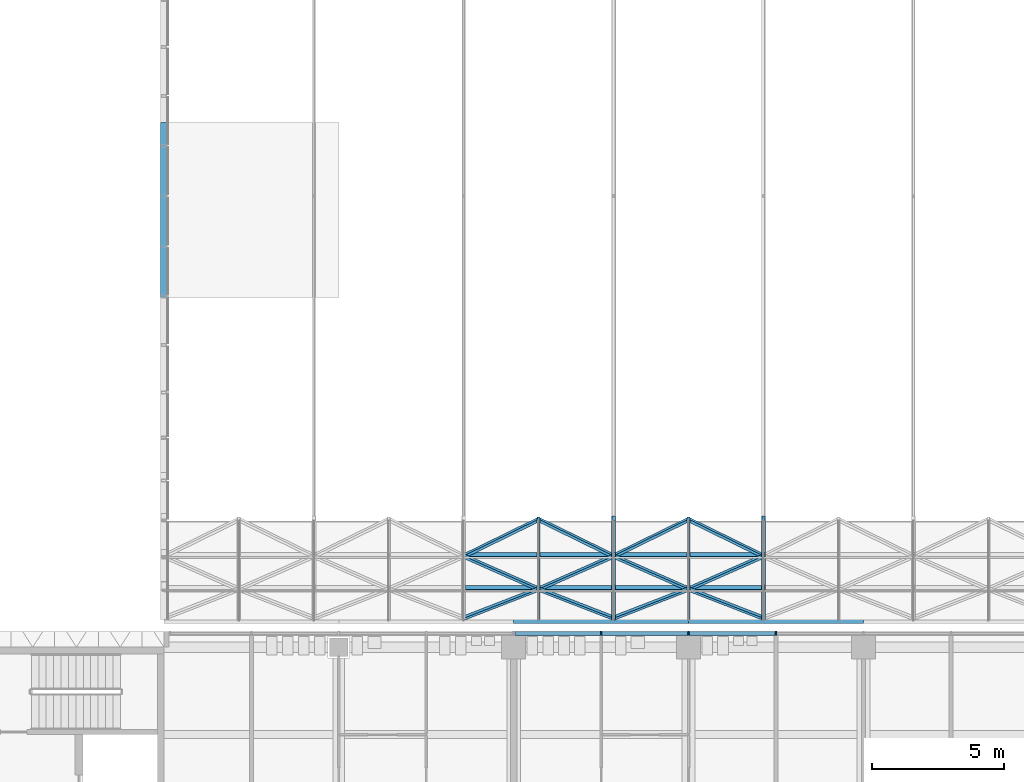
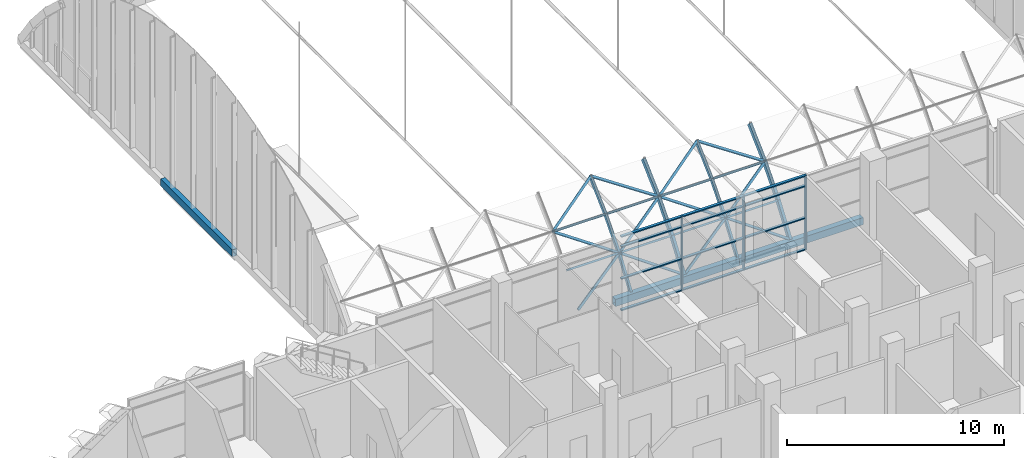
# One storey, part 16 of 109: 47 members, 3 beams, 1 element without a shape of its own.
"""IFC4 building model written with IfcOpenShell, lengths in metres."""

from ifc_helpers import new_model, si_unit, direction, frame, origin, origin_2d, place, context, subcontext, project, spatial, rectangle, hollow_rectangle, extrude, material, material_profile, profile_set, type_object, element, aggregate, save


model = new_model("IFC4")

# Units and contexts
model_context = context("Model", 3, precision=1e-05, world=origin(), true_north=direction((0.0, 1.0)))
body_context = subcontext(model_context, "Body", "Model", "MODEL_VIEW")
ifc_project = project(units=[si_unit("LENGTHUNIT", "METRE"), si_unit("AREAUNIT", "SQUARE_METRE"), si_unit("VOLUMEUNIT", "CUBIC_METRE"), si_unit("PLANEANGLEUNIT", "RADIAN"), si_unit("MASSUNIT", "GRAM", prefix="KILO")], contexts=[model_context])

# Site, building, storey
site_placement = place(None, origin())
site = spatial("IfcSite", under=ifc_project, at=site_placement, CompositionType="ELEMENT")
building_placement = place(site_placement, origin())
building = spatial("IfcBuilding", under=site, at=building_placement, Name="Lantern Court Research Institute", CompositionType="ELEMENT")
storey_placement = place(building_placement, frame((0.0, 0.0, 14.39990234375)))
storey = spatial("IfcBuildingStorey", under=building, at=storey_placement, Name="L03", CompositionType="ELEMENT", Elevation=14.39990234375)

# Beam
ifc_material_1 = material(Name="Structural steel S355", Category="steel")
ifc_material_profile_1 = material_profile(ifc_material_1, hollow_rectangle(XDim=0.25, YDim=0.39990234375, WallThickness=0.012451171875, at=origin_2d()), Name="Gable sill beam RHS 400 x 250 x 12.5")
ifc_profile_set_1 = profile_set([ifc_material_profile_1], Name="Structural steel S355")
beam_type_1 = type_object("IfcBeamType", Name="Gable sill beam RHS 400 x 250 x 12.5", PredefinedType="BEAM", material=ifc_profile_set_1)
beam_1_placement = place(storey_placement, frame((39.60009765625, 36.300048828125, 0.2001953125), z_axis=(0.0, 1.0, 0.0), x_axis=(-1.0, 0.0, 0.0)))
element("IfcBeam", 1, at=beam_1_placement, inside=storey, type_object=beam_type_1, Name="Sill beam W", PredefinedType="BEAM", context=body_context, shape_type="SweptSolid", body=[
    extrude(hollow_rectangle(XDim=0.25, YDim=0.39990234375, WallThickness=0.012451171875, at=origin_2d()), origin(), (0.0, 0.0, 1.0), 6.599853515625),
])

# Members
ifc_material_2 = material(Name="Structural steel S355", Category="steel")
ifc_material_profile_2 = material_profile(ifc_material_2, hollow_rectangle(XDim=0.1201171875, YDim=0.1201171875, WallThickness=0.008056640625, at=origin_2d()), Name="Gridshell haunch diagonal RHS 120 x 120 x 8")
ifc_profile_set_2 = profile_set([ifc_material_profile_2], Name="Structural steel S355")
member_type_1 = type_object("IfcMemberType", Name="Gridshell haunch diagonal RHS 120 x 120 x 8", PredefinedType="BRACE", material=ifc_profile_set_2)
for number, where, z_axis, x_axis, name in (
    (2, (50.914306640625, 24.198974609375, 0.365478515625), (0.829757421007, 0.321633055217, 0.45613024464), (-0.558124199292, 0.478137532634, 0.678145912065), "Gridshell diagonal"),
    (3, (53.742919921875, 25.29150390625, 1.91552734375), (-0.829775196139, 0.365828733116, 0.421476525917), (-0.558097772678, -0.543914119911, -0.62664527948), "Gridshell diagonal"),
    (4, (50.914306640625, 26.534423828125, 3.347900390625), (0.829761681147, 0.406358344452, 0.382581296451), (-0.558117866133, 0.60414109168, 0.568786417601), "Gridshell diagonal"),
    (5, (56.571533203125, 24.198974609375, 0.365478515625), (-0.829757421007, 0.321633055217, 0.45613024464), (-0.558124199292, -0.478137532634, -0.678145912065), "Gridshell diagonal"),
    (6, (53.742919921875, 25.29150390625, 1.91552734375), (0.829775196139, 0.365828733116, 0.421476525917), (-0.558097772678, 0.543914119911, 0.62664527948), "Gridshell diagonal"),
    (7, (56.571533203125, 26.534423828125, 3.347900390625), (-0.829761681147, 0.406358344452, 0.382581296451), (-0.558117866133, -0.60414109168, -0.568786417601), "Gridshell diagonal"),
):
    element("IfcMember", number, at=place(storey_placement, frame(where, z_axis=z_axis, x_axis=x_axis)), inside=storey, type_object=member_type_1, Name=name, PredefinedType="BRACE", context=body_context, shape_type="SweptSolid", body=[
        extrude(hollow_rectangle(XDim=0.1201171875, YDim=0.1201171875, WallThickness=0.008056640625, at=origin_2d()), origin(), (0.0, 0.0, 1.0), 3.408935546875),
    ])
for number, where, z_axis, x_axis, name in (
    (8, (56.571533203125, 24.198974609375, 0.365478515625), (0.829735110058, 0.321652169121, 0.456157351399), (-0.558157366986, 0.478113831457, 0.678135324142), "Gridshell diagonal"),
    (9, (59.39990234375, 25.29150390625, 1.91552734375), (-0.829752886825, 0.365850474398, 0.42150157436), (-0.55813094053, -0.54388935428, -0.62663723439), "Gridshell diagonal"),
    (10, (56.571533203125, 26.534423828125, 3.347900390625), (0.82973937059, 0.406382493632, 0.382604032602), (-0.558151034099, 0.604115905866, 0.568780621518), "Gridshell diagonal"),
):
    element("IfcMember", number, at=place(storey_placement, frame(where, z_axis=z_axis, x_axis=x_axis)), inside=storey, type_object=member_type_1, Name=name, PredefinedType="BRACE", context=body_context, shape_type="SweptSolid", body=[
        extrude(hollow_rectangle(XDim=0.1201171875, YDim=0.1201171875, WallThickness=0.008056640625, at=origin_2d()), origin(), (0.0, 0.0, 1.0), 3.40869140625),
    ])
for number, where, z_axis, x_axis, name in (
    (11, (62.228515625, 24.198974609375, 0.365478515625), (-0.829757421007, 0.321633055217, 0.45613024464), (-0.558124199292, -0.478137532634, -0.678145912065), "Gridshell diagonal"),
    (12, (59.39990234375, 25.29150390625, 1.91552734375), (0.829775196139, 0.365828733116, 0.421476525917), (-0.558097772678, 0.543914119911, 0.62664527948), "Gridshell diagonal"),
    (13, (62.228515625, 26.534423828125, 3.347900390625), (-0.829761681147, 0.406358344452, 0.382581296451), (-0.558117866133, -0.60414109168, -0.568786417601), "Gridshell diagonal"),
):
    element("IfcMember", number, at=place(storey_placement, frame(where, z_axis=z_axis, x_axis=x_axis)), inside=storey, type_object=member_type_1, Name=name, PredefinedType="BRACE", context=body_context, shape_type="SweptSolid", body=[
        extrude(hollow_rectangle(XDim=0.1201171875, YDim=0.1201171875, WallThickness=0.008056640625, at=origin_2d()), origin(), (0.0, 0.0, 1.0), 3.408935546875),
    ])
ifc_material_3 = material(Name="Structural steel S355", Category="steel")
ifc_material_profile_3 = material_profile(ifc_material_3, hollow_rectangle(XDim=0.10009765625, YDim=0.199951171875, WallThickness=0.008056640625, at=origin_2d()), Name="Gridshell purlin RHS 200 x 100 x 8")
ifc_profile_set_3 = profile_set([ifc_material_profile_3], Name="Structural steel S355")
member_type_2 = type_object("IfcMemberType", Name="Gridshell purlin RHS 200 x 100 x 8", PredefinedType="PURLIN", material=ifc_profile_set_3)
member_1_placement = place(storey_placement, frame((50.9892578125, 25.324951171875, 1.893310546875), z_axis=(1.0, 0.0, 0.0), x_axis=(0.0, 0.616657332959, 0.787231689979)))
element("IfcMember", 14, at=member_1_placement, inside=storey, type_object=member_type_2, Name="Gridshell purlin", PredefinedType="PURLIN", context=body_context, shape_type="SweptSolid", body=[
    extrude(hollow_rectangle(XDim=0.10009765625, YDim=0.199951171875, WallThickness=0.008056640625, at=origin_2d()), origin(), (0.0, 0.0, 1.0), 2.693603515625),
])
member_2_placement = place(storey_placement, frame((53.802978515625, 25.324951171875, 1.893310546875), z_axis=(1.0, 0.0, 0.0), x_axis=(0.0, 0.616657332959, 0.787231689979)))
element("IfcMember", 15, at=member_2_placement, inside=storey, type_object=member_type_2, Name="Gridshell purlin", PredefinedType="PURLIN", context=body_context, shape_type="SweptSolid", body=[
    extrude(hollow_rectangle(XDim=0.10009765625, YDim=0.199951171875, WallThickness=0.008056640625, at=origin_2d()), origin(), (0.0, 0.0, 1.0), 2.693359375),
])
for number, where, z_axis, x_axis, name in (
    (16, (56.646484375, 25.324951171875, 1.893310546875), (1.0, 0.0, 0.0), (0.0, 0.616657332959, 0.787231689979), "Gridshell purlin"),
    (17, (59.4599609375, 25.324951171875, 1.893310546875), (1.0, 0.0, 0.0), (0.0, 0.616657332959, 0.787231689979), "Gridshell purlin"),
    (18, (50.9892578125, 26.5654296875, 3.322265625), (1.0, 0.0, 0.0), (0.0, 0.692674230917, 0.721250587399), "Gridshell purlin"),
):
    element("IfcMember", number, at=place(storey_placement, frame(where, z_axis=z_axis, x_axis=x_axis)), inside=storey, type_object=member_type_2, Name=name, PredefinedType="PURLIN", context=body_context, shape_type="SweptSolid", body=[
        extrude(hollow_rectangle(XDim=0.10009765625, YDim=0.199951171875, WallThickness=0.008056640625, at=origin_2d()), origin(), (0.0, 0.0, 1.0), 2.693603515625),
    ])
member_3_placement = place(storey_placement, frame((53.802978515625, 26.5654296875, 3.322265625), z_axis=(1.0, 0.0, 0.0), x_axis=(0.0, 0.692674230917, 0.721250587399)))
element("IfcMember", 19, at=member_3_placement, inside=storey, type_object=member_type_2, Name="Gridshell purlin", PredefinedType="PURLIN", context=body_context, shape_type="SweptSolid", body=[
    extrude(hollow_rectangle(XDim=0.10009765625, YDim=0.199951171875, WallThickness=0.008056640625, at=origin_2d()), origin(), (0.0, 0.0, 1.0), 2.693359375),
])
for number, where, z_axis, x_axis, name in (
    (20, (56.646484375, 26.5654296875, 3.322265625), (1.0, 0.0, 0.0), (0.0, 0.692674230917, 0.721250587399), "Gridshell purlin"),
    (21, (59.4599609375, 26.5654296875, 3.322265625), (1.0, 0.0, 0.0), (0.0, 0.692674230917, 0.721250587399), "Gridshell purlin"),
):
    element("IfcMember", number, at=place(storey_placement, frame(where, z_axis=z_axis, x_axis=x_axis)), inside=storey, type_object=member_type_2, Name=name, PredefinedType="PURLIN", context=body_context, shape_type="SweptSolid", body=[
        extrude(hollow_rectangle(XDim=0.10009765625, YDim=0.199951171875, WallThickness=0.008056640625, at=origin_2d()), origin(), (0.0, 0.0, 1.0), 2.693603515625),
    ])

# Beams
ifc_material_4 = material(Name="Structural steel S355", Category="steel")
ifc_material_profile_4 = material_profile(ifc_material_4, hollow_rectangle(XDim=0.300048828125, YDim=0.39990234375, WallThickness=0.01611328125, at=origin_2d()), Name="Gridshell ring beam RHS 400 x 300 x 16")
ifc_profile_set_4 = profile_set([ifc_material_profile_4], Name="Structural steel S355")
beam_type_2 = type_object("IfcBeamType", Name="Gridshell ring beam RHS 400 x 300 x 16", PredefinedType="BEAM", material=ifc_profile_set_4)
beam_2_placement = place(storey_placement, frame((52.800048828125, 24.14990234375, 0.2001953125), z_axis=(1.0, 0.0, 0.0), x_axis=(0.0, 1.0, 0.0)))
element("IfcBeam", 22, at=beam_2_placement, inside=storey, type_object=beam_type_2, Name="Ring beam S", PredefinedType="BEAM", context=body_context, shape_type="SweptSolid", body=[
    extrude(hollow_rectangle(XDim=0.300048828125, YDim=0.39990234375, WallThickness=0.01611328125, at=origin_2d()), origin(), (0.0, 0.0, 1.0), 6.599853515625),
])
beam_3_placement = place(storey_placement, frame((59.39990234375, 24.14990234375, 0.2001953125), z_axis=(1.0, 0.0, 0.0), x_axis=(0.0, 1.0, 0.0)))
element("IfcBeam", 23, at=beam_3_placement, inside=storey, type_object=beam_type_2, Name="Ring beam S", PredefinedType="BEAM", context=body_context, shape_type="SweptSolid", body=[
    extrude(hollow_rectangle(XDim=0.300048828125, YDim=0.39990234375, WallThickness=0.01611328125, at=origin_2d()), origin(), (0.0, 0.0, 1.0), 6.60009765625),
])

# Members
ifc_material_5 = material(Name="Structural steel S355", Category="steel")
ifc_material_profile_5 = material_profile(ifc_material_5, hollow_rectangle(XDim=0.1201171875, YDim=0.199951171875, WallThickness=0.008056640625, at=origin_2d()), Name="Gridshell secondary rib RHS 200 x 120 x 8")
ifc_profile_set_5 = profile_set([ifc_material_profile_5], Name="Structural steel S355")
member_type_3 = type_object("IfcMemberType", Name="Gridshell secondary rib RHS 200 x 120 x 8", PredefinedType="RAFTER", material=ifc_profile_set_5)
member_4_placement = place(storey_placement, frame((53.742919921875, 24.231689453125, 0.342529296875), z_axis=(0.0, 0.576335495229, 0.817213189406), x_axis=(-1.0, 0.0, 0.0)))
element("IfcMember", 24, at=member_4_placement, inside=storey, type_object=member_type_3, Name="Gridshell secondary rib", PredefinedType="RAFTER", context=body_context, shape_type="SweptSolid", body=[
    extrude(hollow_rectangle(XDim=0.1201171875, YDim=0.199951171875, WallThickness=0.008056640625, at=origin_2d()), origin(), (0.0, 0.0, 1.0), 1.90234375),
])
member_5_placement = place(storey_placement, frame((53.742919921875, 25.32177734375, 1.889404296875), z_axis=(0.0, 0.655492193344, 0.755201949458), x_axis=(-1.0, 0.0, 0.0)))
element("IfcMember", 25, at=member_5_placement, inside=storey, type_object=member_type_3, Name="Gridshell secondary rib", PredefinedType="RAFTER", context=body_context, shape_type="SweptSolid", body=[
    extrude(hollow_rectangle(XDim=0.1201171875, YDim=0.199951171875, WallThickness=0.008056640625, at=origin_2d()), origin(), (0.0, 0.0, 1.0), 1.902587890625),
])
for number, where, z_axis, x_axis, name in (
    (26, (53.742919921875, 26.561767578125, 3.31884765625), (0.0, 0.728151013069, 0.68541673613), (-1.0, 0.0, 0.0), "Gridshell secondary rib"),
    (27, (59.39990234375, 24.231689453125, 0.342529296875), (0.0, 0.576335495229, 0.817213189406), (-1.0, 0.0, 0.0), "Gridshell secondary rib"),
):
    element("IfcMember", number, at=place(storey_placement, frame(where, z_axis=z_axis, x_axis=x_axis)), inside=storey, type_object=member_type_3, Name=name, PredefinedType="RAFTER", context=body_context, shape_type="SweptSolid", body=[
        extrude(hollow_rectangle(XDim=0.1201171875, YDim=0.199951171875, WallThickness=0.008056640625, at=origin_2d()), origin(), (0.0, 0.0, 1.0), 1.90234375),
    ])
member_6_placement = place(storey_placement, frame((59.39990234375, 25.32177734375, 1.889404296875), z_axis=(0.0, 0.655492193344, 0.755201949458), x_axis=(-1.0, 0.0, 0.0)))
element("IfcMember", 28, at=member_6_placement, inside=storey, type_object=member_type_3, Name="Gridshell secondary rib", PredefinedType="RAFTER", context=body_context, shape_type="SweptSolid", body=[
    extrude(hollow_rectangle(XDim=0.1201171875, YDim=0.199951171875, WallThickness=0.008056640625, at=origin_2d()), origin(), (0.0, 0.0, 1.0), 1.902587890625),
])
member_7_placement = place(storey_placement, frame((59.39990234375, 26.561767578125, 3.31884765625), z_axis=(0.0, 0.728151013069, 0.68541673613), x_axis=(-1.0, 0.0, 0.0)))
element("IfcMember", 29, at=member_7_placement, inside=storey, type_object=member_type_3, Name="Gridshell secondary rib", PredefinedType="RAFTER", context=body_context, shape_type="SweptSolid", body=[
    extrude(hollow_rectangle(XDim=0.1201171875, YDim=0.199951171875, WallThickness=0.008056640625, at=origin_2d()), origin(), (0.0, 0.0, 1.0), 1.90234375),
])
ifc_material_6 = material(Name="Structural steel S355", Category="steel")
ifc_material_profile_6 = material_profile(ifc_material_6, hollow_rectangle(XDim=0.14990234375, YDim=0.25, WallThickness=0.010009765625, at=origin_2d()), Name="Gridshell springing rib RHS 250 x 150 x 10")
ifc_profile_set_6 = profile_set([ifc_material_profile_6], Name="Structural steel S355")
member_type_4 = type_object("IfcMemberType", Name="Gridshell springing rib RHS 250 x 150 x 10", PredefinedType="RAFTER", material=ifc_profile_set_6)
member_8_placement = place(storey_placement, frame((56.571533203125, 24.252197265625, 0.328125), z_axis=(0.0, 0.576249781335, 0.817273631969), x_axis=(-1.0, 0.0, 0.0)))
element("IfcMember", 30, at=member_8_placement, inside=storey, type_object=member_type_4, Name="Gridshell rib", PredefinedType="RAFTER", context=body_context, shape_type="SweptSolid", body=[
    extrude(hollow_rectangle(XDim=0.14990234375, YDim=0.25, WallThickness=0.010009765625, at=origin_2d()), origin(), (0.0, 0.0, 1.0), 1.90234375),
])
member_9_placement = place(storey_placement, frame((56.571533203125, 25.340576171875, 1.873046875), z_axis=(0.0, 0.655492193344, 0.755201949458), x_axis=(-1.0, 0.0, 0.0)))
element("IfcMember", 31, at=member_9_placement, inside=storey, type_object=member_type_4, Name="Gridshell rib", PredefinedType="RAFTER", context=body_context, shape_type="SweptSolid", body=[
    extrude(hollow_rectangle(XDim=0.14990234375, YDim=0.25, WallThickness=0.010009765625, at=origin_2d()), origin(), (0.0, 0.0, 1.0), 1.902587890625),
])
for number, where, z_axis, x_axis, name in (
    (32, (56.571533203125, 26.5791015625, 3.300537109375), (0.0, 0.728026662528, 0.685548815657), (-1.0, 0.0, 0.0), "Gridshell rib"),
    (33, (62.228515625, 24.252197265625, 0.328125), (0.0, 0.576249781335, 0.817273631969), (-1.0, 0.0, 0.0), "Gridshell rib"),
):
    element("IfcMember", number, at=place(storey_placement, frame(where, z_axis=z_axis, x_axis=x_axis)), inside=storey, type_object=member_type_4, Name=name, PredefinedType="RAFTER", context=body_context, shape_type="SweptSolid", body=[
        extrude(hollow_rectangle(XDim=0.14990234375, YDim=0.25, WallThickness=0.010009765625, at=origin_2d()), origin(), (0.0, 0.0, 1.0), 1.90234375),
    ])
member_10_placement = place(storey_placement, frame((62.228515625, 25.340576171875, 1.873046875), z_axis=(0.0, 0.655492193344, 0.755201949458), x_axis=(-1.0, 0.0, 0.0)))
element("IfcMember", 34, at=member_10_placement, inside=storey, type_object=member_type_4, Name="Gridshell rib", PredefinedType="RAFTER", context=body_context, shape_type="SweptSolid", body=[
    extrude(hollow_rectangle(XDim=0.14990234375, YDim=0.25, WallThickness=0.010009765625, at=origin_2d()), origin(), (0.0, 0.0, 1.0), 1.902587890625),
])
member_11_placement = place(storey_placement, frame((62.228515625, 26.5791015625, 3.300537109375), z_axis=(0.0, 0.728026662528, 0.685548815657), x_axis=(-1.0, 0.0, 0.0)))
element("IfcMember", 35, at=member_11_placement, inside=storey, type_object=member_type_4, Name="Gridshell rib", PredefinedType="RAFTER", context=body_context, shape_type="SweptSolid", body=[
    extrude(hollow_rectangle(XDim=0.14990234375, YDim=0.25, WallThickness=0.010009765625, at=origin_2d()), origin(), (0.0, 0.0, 1.0), 1.90234375),
])

# Curtain wall, members
ifc_material_7 = material(Name="Aluminium alloy 6063-T6", Category="aluminium")
curtain_wall_type = type_object("IfcCurtainWallType", Name="Curtain wall 19600 x 4200 x 150 aluminium frame", PredefinedType="NOTDEFINED", material=ifc_material_7)
curtain_wall_placement = place(storey_placement, origin())
curtain_wall = element("IfcCurtainWall", 36, at=curtain_wall_placement, inside=storey, type_object=curtain_wall_type, Name="Curtain wall CW058", PredefinedType="NOTDEFINED")
ifc_material_8 = material(Name="Aluminium alloy 6063-T6", Category="aluminium")
ifc_material_profile_7 = material_profile(ifc_material_8, rectangle(XDim=0.14990234375, YDim=0.06005859375, at=origin_2d()), Name="Mullion 150 x 60")
ifc_profile_set_7 = profile_set([ifc_material_profile_7], Name="Aluminium alloy 6063-T6")
member_type_5 = type_object("IfcMemberType", Name="Mullion 150 x 60 aluminium", PredefinedType="MULLION", material=ifc_profile_set_7)
member_12_placement = place(storey_placement, frame((56.10009765625, 23.625, 0.0), z_axis=(0.0, 0.0, 1.0), x_axis=(0.0, 1.0, 0.0)))
member_12 = element("IfcMember", 37, at=member_12_placement, type_object=member_type_5, Name="CW058 mullion 2", PredefinedType="MULLION", context=body_context, shape_type="SweptSolid", body=[
    extrude(rectangle(XDim=0.14990234375, YDim=0.06005859375, at=origin_2d()), origin(), (0.0, 0.0, 1.0), 4.2001953125),
])
member_13_placement = place(storey_placement, frame((59.39990234375, 23.625, 0.0), z_axis=(0.0, 0.0, 1.0), x_axis=(0.0, 1.0, 0.0)))
member_13 = element("IfcMember", 38, at=member_13_placement, type_object=member_type_5, Name="CW058 mullion 3", PredefinedType="MULLION", context=body_context, shape_type="SweptSolid", body=[
    extrude(rectangle(XDim=0.14990234375, YDim=0.06005859375, at=origin_2d()), origin(), (0.0, 0.0, 1.0), 4.2001953125),
])
member_14_placement = place(storey_placement, frame((62.699951171875, 23.625, 0.0), z_axis=(0.0, 0.0, 1.0), x_axis=(0.0, 1.0, 0.0)))
member_14 = element("IfcMember", 39, at=member_14_placement, type_object=member_type_5, Name="CW058 mullion 4", PredefinedType="MULLION", context=body_context, shape_type="SweptSolid", body=[
    extrude(rectangle(XDim=0.14990234375, YDim=0.06005859375, at=origin_2d()), origin(), (0.0, 0.0, 1.0), 4.2001953125),
])
ifc_material_9 = material(Name="Aluminium alloy 6063-T6", Category="aluminium")
ifc_material_profile_8 = material_profile(ifc_material_9, rectangle(XDim=0.14990234375, YDim=0.06005859375, at=origin_2d()), Name="Transom 150 x 60")
ifc_profile_set_8 = profile_set([ifc_material_profile_8], Name="Aluminium alloy 6063-T6")
member_type_6 = type_object("IfcMemberType", Name="Transom 150 x 60 aluminium", PredefinedType="USERDEFINED", material=ifc_profile_set_8)
member_15_placement = place(storey_placement, frame((52.860107421875, 23.625, 0.030029296875), z_axis=(1.0, 0.0, 0.0), x_axis=(0.0, 1.0, 0.0)))
member_15 = element("IfcMember", 40, at=member_15_placement, type_object=member_type_6, Name="CW058 transom 1.1", ObjectType="TRANSOM", PredefinedType="USERDEFINED", context=body_context, shape_type="SweptSolid", body=[
    extrude(rectangle(XDim=0.14990234375, YDim=0.06005859375, at=origin_2d()), origin(), (0.0, 0.0, 1.0), 3.2099609375),
])
member_16_placement = place(storey_placement, frame((52.860107421875, 23.625, 1.800048828125), z_axis=(1.0, 0.0, 0.0), x_axis=(0.0, 1.0, 0.0)))
member_16 = element("IfcMember", 41, at=member_16_placement, type_object=member_type_6, Name="CW058 transom 1.2", ObjectType="TRANSOM", PredefinedType="USERDEFINED", context=body_context, shape_type="SweptSolid", body=[
    extrude(rectangle(XDim=0.14990234375, YDim=0.06005859375, at=origin_2d()), origin(), (0.0, 0.0, 1.0), 3.2099609375),
])
member_17_placement = place(storey_placement, frame((52.860107421875, 23.625, 3.60009765625), z_axis=(1.0, 0.0, 0.0), x_axis=(0.0, 1.0, 0.0)))
member_17 = element("IfcMember", 42, at=member_17_placement, type_object=member_type_6, Name="CW058 transom 1.3", ObjectType="TRANSOM", PredefinedType="USERDEFINED", context=body_context, shape_type="SweptSolid", body=[
    extrude(rectangle(XDim=0.14990234375, YDim=0.06005859375, at=origin_2d()), origin(), (0.0, 0.0, 1.0), 3.2099609375),
])
member_18_placement = place(storey_placement, frame((52.860107421875, 23.625, 4.170166015625), z_axis=(1.0, 0.0, 0.0), x_axis=(0.0, 1.0, 0.0)))
member_18 = element("IfcMember", 43, at=member_18_placement, type_object=member_type_6, Name="CW058 transom 1.4", ObjectType="TRANSOM", PredefinedType="USERDEFINED", context=body_context, shape_type="SweptSolid", body=[
    extrude(rectangle(XDim=0.14990234375, YDim=0.06005859375, at=origin_2d()), origin(), (0.0, 0.0, 1.0), 3.2099609375),
])
member_19_placement = place(storey_placement, frame((56.1298828125, 23.625, 0.030029296875), z_axis=(1.0, 0.0, 0.0), x_axis=(0.0, 1.0, 0.0)))
member_19 = element("IfcMember", 44, at=member_19_placement, type_object=member_type_6, Name="CW058 transom 2.1", ObjectType="TRANSOM", PredefinedType="USERDEFINED", context=body_context, shape_type="SweptSolid", body=[
    extrude(rectangle(XDim=0.14990234375, YDim=0.06005859375, at=origin_2d()), origin(), (0.0, 0.0, 1.0), 3.240234375),
])
member_20_placement = place(storey_placement, frame((56.1298828125, 23.625, 1.800048828125), z_axis=(1.0, 0.0, 0.0), x_axis=(0.0, 1.0, 0.0)))
member_20 = element("IfcMember", 45, at=member_20_placement, type_object=member_type_6, Name="CW058 transom 2.2", ObjectType="TRANSOM", PredefinedType="USERDEFINED", context=body_context, shape_type="SweptSolid", body=[
    extrude(rectangle(XDim=0.14990234375, YDim=0.06005859375, at=origin_2d()), origin(), (0.0, 0.0, 1.0), 3.240234375),
])
member_21_placement = place(storey_placement, frame((56.1298828125, 23.625, 3.60009765625), z_axis=(1.0, 0.0, 0.0), x_axis=(0.0, 1.0, 0.0)))
member_21 = element("IfcMember", 46, at=member_21_placement, type_object=member_type_6, Name="CW058 transom 2.3", ObjectType="TRANSOM", PredefinedType="USERDEFINED", context=body_context, shape_type="SweptSolid", body=[
    extrude(rectangle(XDim=0.14990234375, YDim=0.06005859375, at=origin_2d()), origin(), (0.0, 0.0, 1.0), 3.240234375),
])
member_22_placement = place(storey_placement, frame((56.1298828125, 23.625, 4.170166015625), z_axis=(1.0, 0.0, 0.0), x_axis=(0.0, 1.0, 0.0)))
member_22 = element("IfcMember", 47, at=member_22_placement, type_object=member_type_6, Name="CW058 transom 2.4", ObjectType="TRANSOM", PredefinedType="USERDEFINED", context=body_context, shape_type="SweptSolid", body=[
    extrude(rectangle(XDim=0.14990234375, YDim=0.06005859375, at=origin_2d()), origin(), (0.0, 0.0, 1.0), 3.240234375),
])
member_23_placement = place(storey_placement, frame((59.429931640625, 23.625, 0.030029296875), z_axis=(1.0, 0.0, 0.0), x_axis=(0.0, 1.0, 0.0)))
member_23 = element("IfcMember", 48, at=member_23_placement, type_object=member_type_6, Name="CW058 transom 3.1", ObjectType="TRANSOM", PredefinedType="USERDEFINED", context=body_context, shape_type="SweptSolid", body=[
    extrude(rectangle(XDim=0.14990234375, YDim=0.06005859375, at=origin_2d()), origin(), (0.0, 0.0, 1.0), 3.239990234375),
])
member_24_placement = place(storey_placement, frame((59.429931640625, 23.625, 1.800048828125), z_axis=(1.0, 0.0, 0.0), x_axis=(0.0, 1.0, 0.0)))
member_24 = element("IfcMember", 49, at=member_24_placement, type_object=member_type_6, Name="CW058 transom 3.2", ObjectType="TRANSOM", PredefinedType="USERDEFINED", context=body_context, shape_type="SweptSolid", body=[
    extrude(rectangle(XDim=0.14990234375, YDim=0.06005859375, at=origin_2d()), origin(), (0.0, 0.0, 1.0), 3.239990234375),
])
member_25_placement = place(storey_placement, frame((59.429931640625, 23.625, 3.60009765625), z_axis=(1.0, 0.0, 0.0), x_axis=(0.0, 1.0, 0.0)))
member_25 = element("IfcMember", 50, at=member_25_placement, type_object=member_type_6, Name="CW058 transom 3.3", ObjectType="TRANSOM", PredefinedType="USERDEFINED", context=body_context, shape_type="SweptSolid", body=[
    extrude(rectangle(XDim=0.14990234375, YDim=0.06005859375, at=origin_2d()), origin(), (0.0, 0.0, 1.0), 3.239990234375),
])
member_26_placement = place(storey_placement, frame((59.429931640625, 23.625, 4.170166015625), z_axis=(1.0, 0.0, 0.0), x_axis=(0.0, 1.0, 0.0)))
member_26 = element("IfcMember", 51, at=member_26_placement, type_object=member_type_6, Name="CW058 transom 3.4", ObjectType="TRANSOM", PredefinedType="USERDEFINED", context=body_context, shape_type="SweptSolid", body=[
    extrude(rectangle(XDim=0.14990234375, YDim=0.06005859375, at=origin_2d()), origin(), (0.0, 0.0, 1.0), 3.239990234375),
])
aggregate(curtain_wall, [member_12, member_13, member_14, member_15, member_16, member_17, member_18, member_19, member_20, member_21, member_22, member_23, member_24, member_25, member_26])

save(model, "model.ifc")
